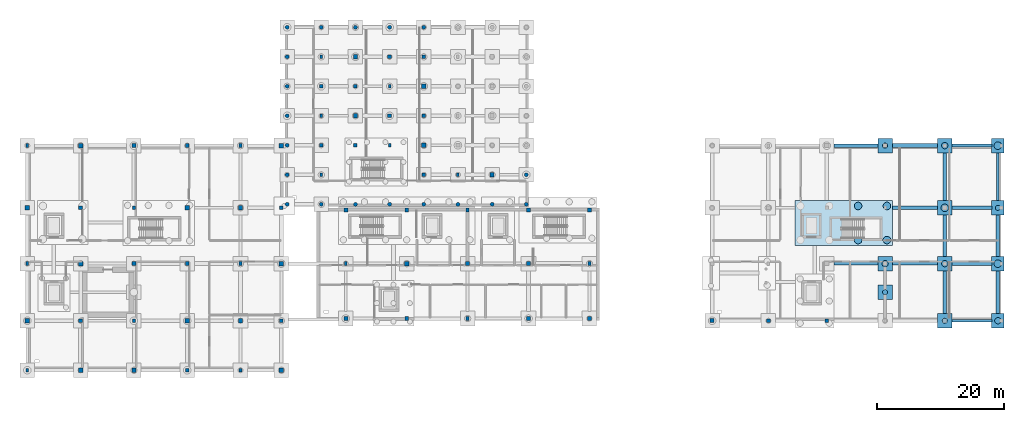
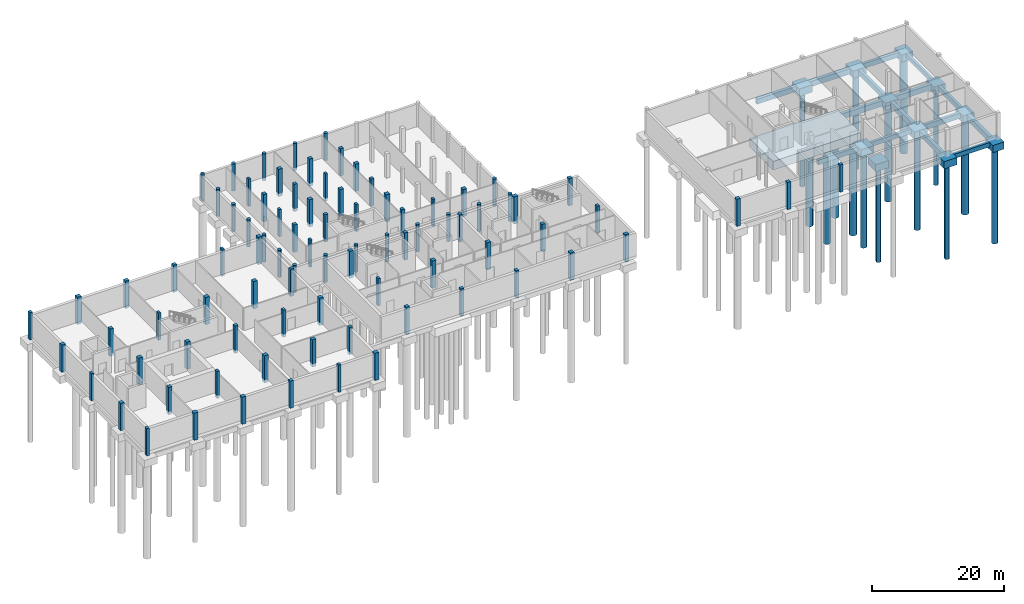
# One storey, part 4 of 14: 87 columns, 27 footings, 15 piles.
"""IFC4 building model written with IfcOpenShell, lengths in metres."""

from ifc_helpers import new_model, si_unit, direction, frame, origin, origin_2d, place, context, subcontext, project, spatial, rectangle, circle, extrude, material, material_profile, profile_set, type_object, element, save


model = new_model("IFC4")

# Units and contexts
model_context = context("Model", 3, precision=1e-05, world=origin(), true_north=direction((0.0, 1.0)))
body_context = subcontext(model_context, "Body", "Model", "MODEL_VIEW")
ifc_project = project(units=[si_unit("LENGTHUNIT", "METRE"), si_unit("AREAUNIT", "SQUARE_METRE"), si_unit("VOLUMEUNIT", "CUBIC_METRE"), si_unit("PLANEANGLEUNIT", "RADIAN"), si_unit("MASSUNIT", "GRAM", prefix="KILO")], contexts=[model_context])

# Site, building, storey
site_placement = place(None, origin())
site = spatial("IfcSite", under=ifc_project, at=site_placement, CompositionType="ELEMENT")
building_placement = place(site_placement, origin())
building = spatial("IfcBuilding", under=site, at=building_placement, Name="Birchvale Park Specialist Clinic", CompositionType="ELEMENT")
storey_placement = place(building_placement, frame((0.0, 0.0, -4.5)))
storey = spatial("IfcBuildingStorey", under=building, at=storey_placement, Name="B1", CompositionType="ELEMENT", Elevation=-4.5)

# Footings
ifc_material = material(Name="Concrete C40/50", Category="concrete")
footing_type_1 = type_object("IfcFootingType", Name="FTB-1", PredefinedType="FOOTING_BEAM", material=ifc_material)
footing_1_placement = place(storey_placement, frame((141.800048828125, 25.800048828125, -1.449951171875), z_axis=(0.0, 0.0, 1.0), x_axis=(1.0, 0.0, 0.0)))
element("IfcFooting", 1, at=footing_1_placement, inside=storey, type_object=footing_type_1, Name="B1 foundation tie beam 61", PredefinedType="FOOTING_BEAM", context=body_context, shape_type="SweptSolid", body=[
    extrude(rectangle(XDim=6.93994140625, YDim=0.5, at=origin_2d()), origin(), (0.0, 0.0, 1.0), 0.89990234375),
])
footing_2_placement = place(storey_placement, frame((164.1650390625, 30.199951171875, -1.449951171875), z_axis=(0.0, 0.0, 1.0), x_axis=(1.0, 0.0, 0.0)))
element("IfcFooting", 2, at=footing_2_placement, inside=storey, type_object=footing_type_1, Name="B1 foundation tie beam 65", PredefinedType="FOOTING_BEAM", context=body_context, shape_type="SweptSolid", body=[
    extrude(rectangle(XDim=0.5, YDim=6.5400390625, at=origin_2d()), origin(), (0.0, 0.0, 1.0), 0.89990234375),
])
footing_3_placement = place(storey_placement, frame((155.800048828125, 39.5, -1.449951171875), z_axis=(0.0, 0.0, 1.0), x_axis=(1.0, 0.0, 0.0)))
element("IfcFooting", 3, at=footing_3_placement, inside=storey, type_object=footing_type_1, Name="B1 foundation tie beam 81", PredefinedType="FOOTING_BEAM", context=body_context, shape_type="SweptSolid", body=[
    extrude(rectangle(XDim=0.5, YDim=7.5400390625, at=origin_2d()), origin(), (0.0, 0.0, 1.0), 0.89990234375),
])
footing_4_placement = place(storey_placement, frame((160.070068359375, 44.39990234375, -1.449951171875), z_axis=(0.0, 0.0, 1.0), x_axis=(1.0, 0.0, 0.0)))
element("IfcFooting", 4, at=footing_4_placement, inside=storey, type_object=footing_type_1, Name="B1 foundation tie beam 97", PredefinedType="FOOTING_BEAM", context=body_context, shape_type="SweptSolid", body=[
    extrude(rectangle(XDim=6.280029296875, YDim=0.5, at=origin_2d()), origin(), (0.0, 0.0, 1.0), 0.89990234375),
])
footing_type_2 = type_object("IfcFootingType", Name="FTB-2", PredefinedType="FOOTING_BEAM", material=ifc_material)
footing_5_placement = place(storey_placement, frame((160.070068359375, 16.800048828125, -1.35009765625), z_axis=(0.0, 0.0, 1.0), x_axis=(1.0, 0.0, 0.0)))
element("IfcFooting", 5, at=footing_5_placement, inside=storey, type_object=footing_type_2, Name="B1 foundation tie beam 30", PredefinedType="FOOTING_BEAM", context=body_context, shape_type="SweptSolid", body=[
    extrude(rectangle(XDim=6.280029296875, YDim=0.449951171875, at=origin_2d()), origin(), (0.0, 0.0, 1.0), 0.800048828125),
])
footing_6_placement = place(storey_placement, frame((151.10009765625, 25.800048828125, -1.35009765625), z_axis=(0.0, 0.0, 1.0), x_axis=(1.0, 0.0, 0.0)))
element("IfcFooting", 6, at=footing_6_placement, inside=storey, type_object=footing_type_2, Name="B1 foundation tie beam 62", PredefinedType="FOOTING_BEAM", context=body_context, shape_type="SweptSolid", body=[
    extrude(rectangle(XDim=7.139892578125, YDim=0.449951171875, at=origin_2d()), origin(), (0.0, 0.0, 1.0), 0.800048828125),
])
footing_7_placement = place(storey_placement, frame((164.1650390625, 39.5, -1.35009765625), z_axis=(0.0, 0.0, 1.0), x_axis=(1.0, 0.0, 0.0)))
element("IfcFooting", 7, at=footing_7_placement, inside=storey, type_object=footing_type_2, Name="B1 foundation tie beam 82", PredefinedType="FOOTING_BEAM", context=body_context, shape_type="SweptSolid", body=[
    extrude(rectangle(XDim=0.449951171875, YDim=7.5400390625, at=origin_2d()), origin(), (0.0, 0.0, 1.0), 0.800048828125),
])
footing_type_3 = type_object("IfcFootingType", Name="FTB-3", PredefinedType="FOOTING_BEAM", material=ifc_material)
footing_8_placement = place(storey_placement, frame((155.800048828125, 21.300048828125, -1.5), z_axis=(0.0, 0.0, 1.0), x_axis=(1.0, 0.0, 0.0)))
element("IfcFooting", 8, at=footing_8_placement, inside=storey, type_object=footing_type_3, Name="B1 foundation tie beam 31", PredefinedType="FOOTING_BEAM", context=body_context, shape_type="SweptSolid", body=[
    extrude(rectangle(XDim=0.550048828125, YDim=6.739990234375, at=origin_2d()), origin(), (0.0, 0.0, 1.0), 0.949951171875),
])
footing_9_placement = place(storey_placement, frame((160.070068359375, 25.800048828125, -1.5), z_axis=(0.0, 0.0, 1.0), x_axis=(1.0, 0.0, 0.0)))
element("IfcFooting", 9, at=footing_9_placement, inside=storey, type_object=footing_type_3, Name="B1 foundation tie beam 63", PredefinedType="FOOTING_BEAM", context=body_context, shape_type="SweptSolid", body=[
    extrude(rectangle(XDim=6.280029296875, YDim=0.550048828125, at=origin_2d()), origin(), (0.0, 0.0, 1.0), 0.949951171875),
])
footing_10_placement = place(storey_placement, frame((141.800048828125, 44.39990234375, -1.5), z_axis=(0.0, 0.0, 1.0), x_axis=(1.0, 0.0, 0.0)))
element("IfcFooting", 10, at=footing_10_placement, inside=storey, type_object=footing_type_3, Name="B1 foundation tie beam 95", PredefinedType="FOOTING_BEAM", context=body_context, shape_type="SweptSolid", body=[
    extrude(rectangle(XDim=6.93994140625, YDim=0.550048828125, at=origin_2d()), origin(), (0.0, 0.0, 1.0), 0.949951171875),
])
footing_type_4 = type_object("IfcFootingType", Name="FTB-4", PredefinedType="FOOTING_BEAM", material=ifc_material)
footing_11_placement = place(storey_placement, frame((164.1650390625, 21.300048828125, -1.550048828125), z_axis=(0.0, 0.0, 1.0), x_axis=(1.0, 0.0, 0.0)))
element("IfcFooting", 11, at=footing_11_placement, inside=storey, type_object=footing_type_4, Name="B1 foundation tie beam 32", PredefinedType="FOOTING_BEAM", context=body_context, shape_type="SweptSolid", body=[
    extrude(rectangle(XDim=0.60009765625, YDim=6.739990234375, at=origin_2d()), origin(), (0.0, 0.0, 1.0), 1.0),
])
footing_12_placement = place(storey_placement, frame((155.800048828125, 30.199951171875, -1.550048828125), z_axis=(0.0, 0.0, 1.0), x_axis=(1.0, 0.0, 0.0)))
element("IfcFooting", 12, at=footing_12_placement, inside=storey, type_object=footing_type_4, Name="B1 foundation tie beam 64", PredefinedType="FOOTING_BEAM", context=body_context, shape_type="SweptSolid", body=[
    extrude(rectangle(XDim=0.60009765625, YDim=6.5400390625, at=origin_2d()), origin(), (0.0, 0.0, 1.0), 1.0),
])
footing_13_placement = place(storey_placement, frame((151.10009765625, 34.60009765625, -1.550048828125), z_axis=(0.0, 0.0, 1.0), x_axis=(1.0, 0.0, 0.0)))
element("IfcFooting", 13, at=footing_13_placement, inside=storey, type_object=footing_type_4, Name="B1 foundation tie beam 68", PredefinedType="FOOTING_BEAM", context=body_context, shape_type="SweptSolid", body=[
    extrude(rectangle(XDim=7.139892578125, YDim=0.60009765625, at=origin_2d()), origin(), (0.0, 0.0, 1.0), 1.0),
])
footing_14_placement = place(storey_placement, frame((160.070068359375, 34.60009765625, -1.550048828125), z_axis=(0.0, 0.0, 1.0), x_axis=(1.0, 0.0, 0.0)))
element("IfcFooting", 14, at=footing_14_placement, inside=storey, type_object=footing_type_4, Name="B1 foundation tie beam 80", PredefinedType="FOOTING_BEAM", context=body_context, shape_type="SweptSolid", body=[
    extrude(rectangle(XDim=6.280029296875, YDim=0.60009765625, at=origin_2d()), origin(), (0.0, 0.0, 1.0), 1.0),
])
footing_15_placement = place(storey_placement, frame((151.10009765625, 44.39990234375, -1.550048828125), z_axis=(0.0, 0.0, 1.0), x_axis=(1.0, 0.0, 0.0)))
element("IfcFooting", 15, at=footing_15_placement, inside=storey, type_object=footing_type_4, Name="B1 foundation tie beam 96", PredefinedType="FOOTING_BEAM", context=body_context, shape_type="SweptSolid", body=[
    extrude(rectangle(XDim=7.139892578125, YDim=0.60009765625, at=origin_2d()), origin(), (0.0, 0.0, 1.0), 1.0),
])
footing_type_5 = type_object("IfcFootingType", Name="FTG-PC-01", PredefinedType="PILE_CAP", material=ifc_material)
for number, where, z_axis, x_axis, name in (
    (16, (155.800048828125, 16.800048828125, -1.900146484375), (0.0, 0.0, 1.0), (1.0, 0.0, 0.0), "B1 pile cap 17"),
    (17, (146.39990234375, 21.300048828125, -1.900146484375), (0.0, 0.0, 1.0), (1.0, 0.0, 0.0), "B1 pile cap 26"),
    (18, (155.800048828125, 25.800048828125, -1.900146484375), (0.0, 0.0, 1.0), (1.0, 0.0, 0.0), "B1 pile cap 42"),
    (19, (155.800048828125, 34.60009765625, -1.900146484375), (0.0, 0.0, 1.0), (1.0, 0.0, 0.0), "B1 pile cap 55"),
    (20, (146.39990234375, 44.39990234375, -1.900146484375), (0.0, 0.0, 1.0), (1.0, 0.0, 0.0), "B1 pile cap 74"),
    (21, (155.800048828125, 44.39990234375, -1.900146484375), (0.0, 0.0, 1.0), (1.0, 0.0, 0.0), "B1 pile cap 75"),
):
    element("IfcFooting", number, at=place(storey_placement, frame(where, z_axis=z_axis, x_axis=x_axis)), inside=storey, type_object=footing_type_5, Name=name, PredefinedType="PILE_CAP", context=body_context, shape_type="SweptSolid", body=[
        extrude(rectangle(XDim=2.300048828125, YDim=2.300048828125, at=origin_2d()), origin(), (0.0, 0.0, 1.0), 1.35009765625),
    ])
footing_type_6 = type_object("IfcFootingType", Name="FTG-PC-02", PredefinedType="PILE_CAP", material=ifc_material)
footing_16_placement = place(storey_placement, frame((146.39990234375, 25.800048828125, -2.0), z_axis=(0.0, 0.0, 1.0), x_axis=(1.0, 0.0, 0.0)))
element("IfcFooting", 22, at=footing_16_placement, inside=storey, type_object=footing_type_6, Name="B1 pile cap 41", PredefinedType="PILE_CAP", context=body_context, shape_type="SweptSolid", body=[
    extrude(rectangle(XDim=2.300048828125, YDim=2.300048828125, at=origin_2d()), origin(), (0.0, 0.0, 1.0), 1.449951171875),
])
footing_type_7 = type_object("IfcFootingType", Name="FTG-PC-04", PredefinedType="PILE_CAP", material=ifc_material)
for number, where, z_axis, x_axis, name in (
    (23, (164.1650390625, 16.800048828125, -1.900146484375), (0.0, 0.0, 1.0), (1.0, 0.0, 0.0), "B1 pile cap 18"),
    (24, (164.1650390625, 25.800048828125, -1.900146484375), (0.0, 0.0, 1.0), (1.0, 0.0, 0.0), "B1 pile cap 43"),
    (25, (164.1650390625, 34.60009765625, -1.900146484375), (0.0, 0.0, 1.0), (1.0, 0.0, 0.0), "B1 pile cap 56"),
    (26, (164.1650390625, 44.39990234375, -1.900146484375), (0.0, 0.0, 1.0), (1.0, 0.0, 0.0), "B1 pile cap 76"),
):
    element("IfcFooting", number, at=place(storey_placement, frame(where, z_axis=z_axis, x_axis=x_axis)), inside=storey, type_object=footing_type_7, Name=name, PredefinedType="PILE_CAP", context=body_context, shape_type="SweptSolid", body=[
        extrude(rectangle(XDim=1.949951171875, YDim=2.300048828125, at=origin_2d()), origin(), (0.0, 0.0, 1.0), 1.35009765625),
    ])
footing_type_8 = type_object("IfcFootingType", Name="FTG-PC-09", PredefinedType="PILE_CAP", material=ifc_material)
footing_17_placement = place(storey_placement, frame((139.875, 32.199951171875, -2.150146484375), z_axis=(0.0, 0.0, 1.0), x_axis=(1.0, 0.0, 0.0)))
element("IfcFooting", 27, at=footing_17_placement, inside=storey, type_object=footing_type_8, Name="B1 pile cap 45", PredefinedType="PILE_CAP", context=body_context, shape_type="SweptSolid", body=[
    extrude(rectangle(XDim=15.35009765625, YDim=7.10009765625, at=origin_2d()), origin(), (0.0, 0.0, 1.0), 1.60009765625),
])

# Piles
ifc_material_profile_1 = material_profile(ifc_material, circle(Radius=0.39990234375, at=origin_2d()), Name="PILE-800")
ifc_profile_set_1 = profile_set([ifc_material_profile_1], Name="Concrete C40/50")
pile_type_1 = type_object("IfcPileType", Name="PILE-P1", PredefinedType="BORED", material=ifc_profile_set_1)
for number, where, z_axis, x_axis, name in (
    (28, (155.800048828125, 16.800048828125, -1.800048828125), (0.0, 0.0, -1.0), (1.0, 0.0, 0.0), "B1 bored pile 22 (P1)"),
    (29, (146.39990234375, 21.300048828125, -1.800048828125), (0.0, 0.0, -1.0), (1.0, 0.0, 0.0), "B1 bored pile 41 (P1)"),
    (30, (164.1650390625, 34.60009765625, -1.800048828125), (0.0, 0.0, -1.0), (1.0, 0.0, 0.0), "B1 bored pile 107 (P1)"),
    (31, (146.39990234375, 44.39990234375, -1.800048828125), (0.0, 0.0, -1.0), (1.0, 0.0, 0.0), "B1 bored pile 136 (P1)"),
):
    element("IfcPile", number, at=place(storey_placement, frame(where, z_axis=z_axis, x_axis=x_axis)), inside=storey, type_object=pile_type_1, Name=name, PredefinedType="BORED", context=body_context, shape_type="SweptSolid", body=[
        extrude(circle(Radius=0.39990234375, at=origin_2d()), origin(), (0.0, 0.0, 1.0), 17.699951171875),
    ])
ifc_material_profile_2 = material_profile(ifc_material, circle(Radius=0.5, at=origin_2d()), Name="PILE-1000")
ifc_profile_set_2 = profile_set([ifc_material_profile_2], Name="Concrete C40/50")
pile_type_2 = type_object("IfcPileType", Name="PILE-P2", PredefinedType="BORED", material=ifc_profile_set_2)
pile_1_placement = place(storey_placement, frame((164.1650390625, 16.800048828125, -1.800048828125), z_axis=(0.0, 0.0, -1.0), x_axis=(1.0, 0.0, 0.0)))
element("IfcPile", 32, at=pile_1_placement, inside=storey, type_object=pile_type_2, Name="B1 bored pile 23 (P2)", PredefinedType="BORED", context=body_context, shape_type="SweptSolid", body=[
    extrude(circle(Radius=0.5, at=origin_2d()), origin(), (0.0, 0.0, 1.0), 17.699951171875),
])
pile_2_placement = place(storey_placement, frame((146.39990234375, 25.800048828125, -1.89990234375), z_axis=(0.0, 0.0, -1.0), x_axis=(1.0, 0.0, 0.0)))
element("IfcPile", 33, at=pile_2_placement, inside=storey, type_object=pile_type_2, Name="B1 bored pile 57 (P2)", PredefinedType="BORED", context=body_context, shape_type="SweptSolid", body=[
    extrude(circle(Radius=0.5, at=origin_2d()), origin(), (0.0, 0.0, 1.0), 17.60009765625),
])
for number, where, z_axis, x_axis, name in (
    (34, (155.800048828125, 25.800048828125, -1.800048828125), (0.0, 0.0, -1.0), (1.0, 0.0, 0.0), "B1 bored pile 58 (P2)"),
    (35, (155.800048828125, 44.39990234375, -1.800048828125), (0.0, 0.0, -1.0), (1.0, 0.0, 0.0), "B1 bored pile 137 (P2)"),
):
    element("IfcPile", number, at=place(storey_placement, frame(where, z_axis=z_axis, x_axis=x_axis)), inside=storey, type_object=pile_type_2, Name=name, PredefinedType="BORED", context=body_context, shape_type="SweptSolid", body=[
        extrude(circle(Radius=0.5, at=origin_2d()), origin(), (0.0, 0.0, 1.0), 17.699951171875),
    ])
ifc_material_profile_3 = material_profile(ifc_material, circle(Radius=0.60009765625, at=origin_2d()), Name="PILE-1200")
ifc_profile_set_3 = profile_set([ifc_material_profile_3], Name="Concrete C40/50")
pile_type_3 = type_object("IfcPileType", Name="PILE-P3", PredefinedType="BORED", material=ifc_profile_set_3)
pile_3_placement = place(storey_placement, frame((164.1650390625, 25.800048828125, -1.800048828125), z_axis=(0.0, 0.0, -1.0), x_axis=(1.0, 0.0, 0.0)))
element("IfcPile", 36, at=pile_3_placement, inside=storey, type_object=pile_type_3, Name="B1 bored pile 59 (P3)", PredefinedType="BORED", context=body_context, shape_type="SweptSolid", body=[
    extrude(circle(Radius=0.60009765625, at=origin_2d()), origin(), (0.0, 0.0, 1.0), 17.699951171875),
])
for number, where, z_axis, x_axis, name in (
    (37, (142.146728515625, 29.510009765625, -2.050048828125), (0.0, 0.0, -1.0), (1.0, 0.0, 0.0), "B1 bored pile 72 (P3)"),
    (38, (142.146728515625, 34.889892578125, -2.050048828125), (0.0, 0.0, -1.0), (1.0, 0.0, 0.0), "B1 bored pile 73 (P3)"),
    (39, (146.68994140625, 29.510009765625, -2.050048828125), (0.0, 0.0, -1.0), (1.0, 0.0, 0.0), "B1 bored pile 74 (P3)"),
    (40, (146.68994140625, 34.889892578125, -2.050048828125), (0.0, 0.0, -1.0), (1.0, 0.0, 0.0), "B1 bored pile 75 (P3)"),
):
    element("IfcPile", number, at=place(storey_placement, frame(where, z_axis=z_axis, x_axis=x_axis)), inside=storey, type_object=pile_type_3, Name=name, PredefinedType="BORED", context=body_context, shape_type="SweptSolid", body=[
        extrude(circle(Radius=0.60009765625, at=origin_2d()), origin(), (0.0, 0.0, 1.0), 17.449951171875),
    ])
for number, where, z_axis, x_axis, name in (
    (41, (155.800048828125, 34.60009765625, -1.800048828125), (0.0, 0.0, -1.0), (1.0, 0.0, 0.0), "B1 bored pile 106 (P3)"),
    (42, (164.1650390625, 44.39990234375, -1.800048828125), (0.0, 0.0, -1.0), (1.0, 0.0, 0.0), "B1 bored pile 138 (P3)"),
):
    element("IfcPile", number, at=place(storey_placement, frame(where, z_axis=z_axis, x_axis=x_axis)), inside=storey, type_object=pile_type_3, Name=name, PredefinedType="BORED", context=body_context, shape_type="SweptSolid", body=[
        extrude(circle(Radius=0.60009765625, at=origin_2d()), origin(), (0.0, 0.0, 1.0), 17.699951171875),
    ])

# Columns
ifc_material_profile_4 = material_profile(ifc_material, rectangle(XDim=0.679931640625, YDim=0.679931640625, at=origin_2d()), Name="RC-680x680")
ifc_profile_set_4 = profile_set([ifc_material_profile_4], Name="Concrete C40/50")
column_type_1 = type_object("IfcColumnType", Name="COL-EXT-C01", PredefinedType="COLUMN", material=ifc_profile_set_4)
for number, where, z_axis, x_axis, name in (
    (43, (51.25, 9.0, -0.550048828125), (0.0, 0.0, 1.0), (1.0, 0.0, 0.0), "V2 B1 column 26"),
    (44, (51.25, 25.800048828125, -0.550048828125), (0.0, 0.0, 1.0), (1.0, 0.0, 0.0), "V2 B1 column 28"),
    (45, (51.25, 44.39990234375, -0.550048828125), (0.0, 0.0, 1.0), (1.0, 0.0, 0.0), "V2 B1 column 30"),
    (46, (90.199951171875, 17.14990234375, -0.550048828125), (0.0, 0.0, 1.0), (1.0, 0.0, 0.0), "V4 B1 column 10"),
    (47, (90.199951171875, 34.25, -0.550048828125), (0.0, 0.0, 1.0), (1.0, 0.0, 0.0), "V4 B1 column 12"),
):
    element("IfcColumn", number, at=place(storey_placement, frame(where, z_axis=z_axis, x_axis=x_axis)), inside=storey, type_object=column_type_1, Name=name, PredefinedType="COLUMN", context=body_context, shape_type="SweptSolid", body=[
        extrude(rectangle(XDim=0.679931640625, YDim=0.679931640625, at=origin_2d()), origin(), (0.0, 0.0, 1.0), 5.050048828125),
    ])
ifc_material_profile_5 = material_profile(ifc_material, rectangle(XDim=0.6298828125, YDim=0.6298828125, at=origin_2d()), Name="RC-630x630")
ifc_profile_set_5 = profile_set([ifc_material_profile_5], Name="Concrete C40/50")
column_type_2 = type_object("IfcColumnType", Name="COL-EXT-C02", PredefinedType="COLUMN", material=ifc_profile_set_5)
for number, where, z_axis, x_axis, name in (
    (48, (61.39990234375, 17.14990234375, -0.550048828125), (0.0, 0.0, 1.0), (1.0, 0.0, 0.0), "V4 B1 column 1"),
    (49, (61.39990234375, 34.25, -0.550048828125), (0.0, 0.0, 1.0), (1.0, 0.0, 0.0), "V4 B1 column 3"),
    (50, (99.800048828125, 17.14990234375, -0.550048828125), (0.0, 0.0, 1.0), (1.0, 0.0, 0.0), "V4 B1 column 13"),
    (51, (99.800048828125, 34.25, -0.550048828125), (0.0, 0.0, 1.0), (1.0, 0.0, 0.0), "V4 B1 column 15"),
    (52, (119.14990234375, 16.800048828125, -0.550048828125), (0.0, 0.0, 1.0), (1.0, 0.0, 0.0), "V5 B1 column 1"),
):
    element("IfcColumn", number, at=place(storey_placement, frame(where, z_axis=z_axis, x_axis=x_axis)), inside=storey, type_object=column_type_2, Name=name, PredefinedType="COLUMN", context=body_context, shape_type="SweptSolid", body=[
        extrude(rectangle(XDim=0.6298828125, YDim=0.6298828125, at=origin_2d()), origin(), (0.0, 0.0, 1.0), 5.050048828125),
    ])
ifc_material_profile_6 = material_profile(ifc_material, rectangle(XDim=0.580078125, YDim=0.580078125, at=origin_2d()), Name="RC-580x580")
ifc_profile_set_6 = profile_set([ifc_material_profile_6], Name="Concrete C40/50")
column_type_3 = type_object("IfcColumnType", Name="COL-EXT-C03", PredefinedType="COLUMN", material=ifc_profile_set_6)
for number, where, z_axis, x_axis, name in (
    (53, (51.25, 16.800048828125, -0.550048828125), (0.0, 0.0, 1.0), (1.0, 0.0, 0.0), "V2 B1 column 27"),
    (54, (51.25, 34.60009765625, -0.550048828125), (0.0, 0.0, 1.0), (1.0, 0.0, 0.0), "V2 B1 column 29"),
    (55, (71.0, 17.14990234375, -0.550048828125), (0.0, 0.0, 1.0), (1.0, 0.0, 0.0), "V4 B1 column 4"),
    (56, (71.0, 34.25, -0.550048828125), (0.0, 0.0, 1.0), (1.0, 0.0, 0.0), "V4 B1 column 6"),
):
    element("IfcColumn", number, at=place(storey_placement, frame(where, z_axis=z_axis, x_axis=x_axis)), inside=storey, type_object=column_type_3, Name=name, PredefinedType="COLUMN", context=body_context, shape_type="SweptSolid", body=[
        extrude(rectangle(XDim=0.580078125, YDim=0.580078125, at=origin_2d()), origin(), (0.0, 0.0, 1.0), 5.050048828125),
    ])
ifc_material_profile_7 = material_profile(ifc_material, rectangle(XDim=0.469970703125, YDim=0.6298828125, at=origin_2d()), Name="RC-470x630")
ifc_profile_set_7 = profile_set([ifc_material_profile_7], Name="Concrete C40/50")
column_type_4 = type_object("IfcColumnType", Name="COL-EXT-C09", PredefinedType="COLUMN", material=ifc_profile_set_7)
for number, where, z_axis, x_axis, name in (
    (57, (80.60009765625, 17.14990234375, -0.550048828125), (0.0, 0.0, 1.0), (1.0, 0.0, 0.0), "V4 B1 column 7"),
    (58, (80.60009765625, 34.25, -0.550048828125), (0.0, 0.0, 1.0), (1.0, 0.0, 0.0), "V4 B1 column 9"),
):
    element("IfcColumn", number, at=place(storey_placement, frame(where, z_axis=z_axis, x_axis=x_axis)), inside=storey, type_object=column_type_4, Name=name, PredefinedType="COLUMN", context=body_context, shape_type="SweptSolid", body=[
        extrude(rectangle(XDim=0.469970703125, YDim=0.6298828125, at=origin_2d()), origin(), (0.0, 0.0, 1.0), 5.050048828125),
    ])
ifc_material_profile_8 = material_profile(ifc_material, circle(Radius=0.31005859375, at=origin_2d()), Name="RCC-620")
ifc_profile_set_8 = profile_set([ifc_material_profile_8], Name="Concrete C40/50")
column_type_5 = type_object("IfcColumnType", Name="COL-EXT-CC1", PredefinedType="COLUMN", material=ifc_profile_set_8)
for number, where, z_axis, x_axis, name in (
    (59, (52.14990234375, 35.14990234375, -0.550048828125), (0.0, 0.0, 1.0), (1.0, 0.0, 0.0), "V1 B1 column 1"),
    (60, (52.14990234375, 39.800048828125, -0.550048828125), (0.0, 0.0, 1.0), (1.0, 0.0, 0.0), "V1 B1 column 2"),
    (61, (52.14990234375, 44.449951171875, -0.550048828125), (0.0, 0.0, 1.0), (1.0, 0.0, 0.0), "V1 B1 column 3"),
    (62, (52.14990234375, 49.10009765625, -0.550048828125), (0.0, 0.0, 1.0), (1.0, 0.0, 0.0), "V1 B1 column 4"),
    (63, (52.14990234375, 53.75, -0.550048828125), (0.0, 0.0, 1.0), (1.0, 0.0, 0.0), "V1 B1 column 5"),
    (64, (52.14990234375, 58.39990234375, -0.550048828125), (0.0, 0.0, 1.0), (1.0, 0.0, 0.0), "V1 B1 column 6"),
    (65, (52.14990234375, 63.050048828125, -0.550048828125), (0.0, 0.0, 1.0), (1.0, 0.0, 0.0), "V1 B1 column 7"),
    (66, (57.53564453125, 35.14990234375, -0.550048828125), (0.0, 0.0, 1.0), (1.0, 0.0, 0.0), "V1 B1 column 8"),
    (67, (57.53564453125, 63.050048828125, -0.550048828125), (0.0, 0.0, 1.0), (1.0, 0.0, 0.0), "V1 B1 column 14"),
    (68, (62.92138671875, 35.14990234375, -0.550048828125), (0.0, 0.0, 1.0), (1.0, 0.0, 0.0), "V1 B1 column 15"),
    (69, (62.92138671875, 63.050048828125, -0.550048828125), (0.0, 0.0, 1.0), (1.0, 0.0, 0.0), "V1 B1 column 20"),
    (70, (68.30712890625, 35.14990234375, -0.550048828125), (0.0, 0.0, 1.0), (1.0, 0.0, 0.0), "V1 B1 column 21"),
    (71, (68.30712890625, 63.050048828125, -0.550048828125), (0.0, 0.0, 1.0), (1.0, 0.0, 0.0), "V1 B1 column 26"),
    (72, (73.69287109375, 35.14990234375, -0.550048828125), (0.0, 0.0, 1.0), (1.0, 0.0, 0.0), "V1 B1 column 27"),
    (73, (73.69287109375, 63.050048828125, -0.550048828125), (0.0, 0.0, 1.0), (1.0, 0.0, 0.0), "V1 B1 column 33"),
    (74, (79.07861328125, 35.14990234375, -0.550048828125), (0.0, 0.0, 1.0), (1.0, 0.0, 0.0), "V1 B1 column 34"),
    (75, (84.46435546875, 35.14990234375, -0.550048828125), (0.0, 0.0, 1.0), (1.0, 0.0, 0.0), "V1 B1 column 41"),
    (76, (89.85009765625, 35.14990234375, -0.550048828125), (0.0, 0.0, 1.0), (1.0, 0.0, 0.0), "V1 B1 column 48"),
    (77, (89.85009765625, 39.800048828125, -0.550048828125), (0.0, 0.0, 1.0), (1.0, 0.0, 0.0), "V1 B1 column 49"),
):
    element("IfcColumn", number, at=place(storey_placement, frame(where, z_axis=z_axis, x_axis=x_axis)), inside=storey, type_object=column_type_5, Name=name, PredefinedType="COLUMN", context=body_context, shape_type="SweptSolid", body=[
        extrude(circle(Radius=0.31005859375, at=origin_2d()), origin(), (0.0, 0.0, 1.0), 5.050048828125),
    ])
ifc_material_profile_9 = material_profile(ifc_material, rectangle(XDim=0.699951171875, YDim=0.699951171875, at=origin_2d()), Name="RC-700x700")
ifc_profile_set_9 = profile_set([ifc_material_profile_9], Name="Concrete C40/50")
column_type_6 = type_object("IfcColumnType", Name="COL-INT-C01", PredefinedType="COLUMN", material=ifc_profile_set_9)
for number, where, z_axis, x_axis, name in (
    (78, (19.60009765625, 9.0, -0.550048828125), (0.0, 0.0, 1.0), (1.0, 0.0, 0.0), "V2 B1 column 6"),
    (79, (19.60009765625, 25.800048828125, -0.550048828125), (0.0, 0.0, 1.0), (1.0, 0.0, 0.0), "V2 B1 column 8"),
    (80, (19.60009765625, 44.39990234375, -0.550048828125), (0.0, 0.0, 1.0), (1.0, 0.0, 0.0), "V2 B1 column 10"),
    (81, (36.39990234375, 16.800048828125, -0.550048828125), (0.0, 0.0, 1.0), (1.0, 0.0, 0.0), "V2 B1 column 17"),
    (82, (36.39990234375, 34.60009765625, -0.550048828125), (0.0, 0.0, 1.0), (1.0, 0.0, 0.0), "V2 B1 column 19"),
    (83, (71.0, 25.800048828125, -0.550048828125), (0.0, 0.0, 1.0), (1.0, 0.0, 0.0), "V4 B1 column 5"),
):
    element("IfcColumn", number, at=place(storey_placement, frame(where, z_axis=z_axis, x_axis=x_axis)), inside=storey, type_object=column_type_6, Name=name, PredefinedType="COLUMN", context=body_context, shape_type="SweptSolid", body=[
        extrude(rectangle(XDim=0.699951171875, YDim=0.699951171875, at=origin_2d()), origin(), (0.0, 0.0, 1.0), 5.050048828125),
    ])
ifc_material_profile_10 = material_profile(ifc_material, rectangle(XDim=0.64990234375, YDim=0.64990234375, at=origin_2d()), Name="RC-650x650")
ifc_profile_set_10 = profile_set([ifc_material_profile_10], Name="Concrete C40/50")
column_type_7 = type_object("IfcColumnType", Name="COL-INT-C02", PredefinedType="COLUMN", material=ifc_profile_set_10)
for number, where, z_axis, x_axis, name in (
    (84, (62.92138671875, 49.10009765625, -0.550048828125), (0.0, 0.0, 1.0), (1.0, 0.0, 0.0), "V1 B1 column 17"),
    (85, (62.92138671875, 58.39990234375, -0.550048828125), (0.0, 0.0, 1.0), (1.0, 0.0, 0.0), "V1 B1 column 19"),
    (86, (73.69287109375, 44.449951171875, -0.550048828125), (0.0, 0.0, 1.0), (1.0, 0.0, 0.0), "V1 B1 column 29"),
    (87, (73.69287109375, 53.75, -0.550048828125), (0.0, 0.0, 1.0), (1.0, 0.0, 0.0), "V1 B1 column 31"),
    (88, (84.46435546875, 39.800048828125, -0.550048828125), (0.0, 0.0, 1.0), (1.0, 0.0, 0.0), "V1 B1 column 42"),
    (89, (11.199951171875, 16.800048828125, -0.550048828125), (0.0, 0.0, 1.0), (1.0, 0.0, 0.0), "V2 B1 column 2"),
    (90, (11.199951171875, 34.60009765625, -0.550048828125), (0.0, 0.0, 1.0), (1.0, 0.0, 0.0), "V2 B1 column 4"),
    (91, (28.0, 9.0, -0.550048828125), (0.0, 0.0, 1.0), (1.0, 0.0, 0.0), "V2 B1 column 11"),
    (92, (28.0, 25.800048828125, -0.550048828125), (0.0, 0.0, 1.0), (1.0, 0.0, 0.0), "V2 B1 column 13"),
    (93, (28.0, 44.39990234375, -0.550048828125), (0.0, 0.0, 1.0), (1.0, 0.0, 0.0), "V2 B1 column 15"),
    (94, (44.800048828125, 16.800048828125, -0.550048828125), (0.0, 0.0, 1.0), (1.0, 0.0, 0.0), "V2 B1 column 22"),
    (95, (44.800048828125, 34.60009765625, -0.550048828125), (0.0, 0.0, 1.0), (1.0, 0.0, 0.0), "V2 B1 column 24"),
    (96, (80.60009765625, 25.800048828125, -0.550048828125), (0.0, 0.0, 1.0), (1.0, 0.0, 0.0), "V4 B1 column 8"),
):
    element("IfcColumn", number, at=place(storey_placement, frame(where, z_axis=z_axis, x_axis=x_axis)), inside=storey, type_object=column_type_7, Name=name, PredefinedType="COLUMN", context=body_context, shape_type="SweptSolid", body=[
        extrude(rectangle(XDim=0.64990234375, YDim=0.64990234375, at=origin_2d()), origin(), (0.0, 0.0, 1.0), 5.050048828125),
    ])
ifc_material_profile_11 = material_profile(ifc_material, rectangle(XDim=0.60009765625, YDim=0.60009765625, at=origin_2d()), Name="RC-600x600")
ifc_profile_set_11 = profile_set([ifc_material_profile_11], Name="Concrete C40/50")
column_type_8 = type_object("IfcColumnType", Name="COL-INT-C03", PredefinedType="COLUMN", material=ifc_profile_set_11)
for number, where, z_axis, x_axis, name in (
    (97, (57.53564453125, 44.449951171875, -0.550048828125), (0.0, 0.0, 1.0), (1.0, 0.0, 0.0), "V1 B1 column 10"),
    (98, (57.53564453125, 53.75, -0.550048828125), (0.0, 0.0, 1.0), (1.0, 0.0, 0.0), "V1 B1 column 12"),
    (99, (68.30712890625, 49.10009765625, -0.550048828125), (0.0, 0.0, 1.0), (1.0, 0.0, 0.0), "V1 B1 column 23"),
    (100, (68.30712890625, 58.39990234375, -0.550048828125), (0.0, 0.0, 1.0), (1.0, 0.0, 0.0), "V1 B1 column 25"),
    (101, (19.60009765625, 16.800048828125, -0.550048828125), (0.0, 0.0, 1.0), (1.0, 0.0, 0.0), "V2 B1 column 7"),
    (102, (19.60009765625, 34.60009765625, -0.550048828125), (0.0, 0.0, 1.0), (1.0, 0.0, 0.0), "V2 B1 column 9"),
    (103, (36.39990234375, 9.0, -0.550048828125), (0.0, 0.0, 1.0), (1.0, 0.0, 0.0), "V2 B1 column 16"),
    (104, (36.39990234375, 25.800048828125, -0.550048828125), (0.0, 0.0, 1.0), (1.0, 0.0, 0.0), "V2 B1 column 18"),
    (105, (36.39990234375, 44.39990234375, -0.550048828125), (0.0, 0.0, 1.0), (1.0, 0.0, 0.0), "V2 B1 column 20"),
    (106, (90.199951171875, 25.800048828125, -0.550048828125), (0.0, 0.0, 1.0), (1.0, 0.0, 0.0), "V4 B1 column 11"),
    (107, (128.0, 16.800048828125, -0.550048828125), (0.0, 0.0, 1.0), (1.0, 0.0, 0.0), "V5 B1 column 5"),
):
    element("IfcColumn", number, at=place(storey_placement, frame(where, z_axis=z_axis, x_axis=x_axis)), inside=storey, type_object=column_type_8, Name=name, PredefinedType="COLUMN", context=body_context, shape_type="SweptSolid", body=[
        extrude(rectangle(XDim=0.60009765625, YDim=0.60009765625, at=origin_2d()), origin(), (0.0, 0.0, 1.0), 5.050048828125),
    ])
ifc_material_profile_12 = material_profile(ifc_material, rectangle(XDim=0.550048828125, YDim=0.550048828125, at=origin_2d()), Name="RC-550x550")
ifc_profile_set_12 = profile_set([ifc_material_profile_12], Name="Concrete C40/50")
column_type_9 = type_object("IfcColumnType", Name="COL-INT-C04", PredefinedType="COLUMN", material=ifc_profile_set_12)
for number, where, z_axis, x_axis, name in (
    (108, (62.92138671875, 44.449951171875, -0.550048828125), (0.0, 0.0, 1.0), (1.0, 0.0, 0.0), "V1 B1 column 16"),
    (109, (62.92138671875, 53.75, -0.550048828125), (0.0, 0.0, 1.0), (1.0, 0.0, 0.0), "V1 B1 column 18"),
    (110, (73.69287109375, 39.800048828125, -0.550048828125), (0.0, 0.0, 1.0), (1.0, 0.0, 0.0), "V1 B1 column 28"),
    (111, (73.69287109375, 49.10009765625, -0.550048828125), (0.0, 0.0, 1.0), (1.0, 0.0, 0.0), "V1 B1 column 30"),
    (112, (73.69287109375, 58.39990234375, -0.550048828125), (0.0, 0.0, 1.0), (1.0, 0.0, 0.0), "V1 B1 column 32"),
    (113, (137.199951171875, 16.800048828125, -0.550048828125), (0.0, 0.0, 1.0), (1.0, 0.0, 0.0), "V5 B1 column 9"),
):
    element("IfcColumn", number, at=place(storey_placement, frame(where, z_axis=z_axis, x_axis=x_axis)), inside=storey, type_object=column_type_9, Name=name, PredefinedType="COLUMN", context=body_context, shape_type="SweptSolid", body=[
        extrude(rectangle(XDim=0.550048828125, YDim=0.550048828125, at=origin_2d()), origin(), (0.0, 0.0, 1.0), 5.050048828125),
    ])
ifc_material_profile_13 = material_profile(ifc_material, rectangle(XDim=0.449951171875, YDim=0.60009765625, at=origin_2d()), Name="RC-450x600")
ifc_profile_set_13 = profile_set([ifc_material_profile_13], Name="Concrete C40/50")
column_type_10 = type_object("IfcColumnType", Name="COL-INT-C09", PredefinedType="COLUMN", material=ifc_profile_set_13)
for number, where, z_axis, x_axis, name in (
    (114, (11.199951171875, 9.0, -0.550048828125), (0.0, 0.0, 1.0), (1.0, 0.0, 0.0), "V2 B1 column 1"),
    (115, (11.199951171875, 25.800048828125, -0.550048828125), (0.0, 0.0, 1.0), (1.0, 0.0, 0.0), "V2 B1 column 3"),
    (116, (11.199951171875, 44.39990234375, -0.550048828125), (0.0, 0.0, 1.0), (1.0, 0.0, 0.0), "V2 B1 column 5"),
    (117, (28.0, 16.800048828125, -0.550048828125), (0.0, 0.0, 1.0), (1.0, 0.0, 0.0), "V2 B1 column 12"),
    (118, (28.0, 34.60009765625, -0.550048828125), (0.0, 0.0, 1.0), (1.0, 0.0, 0.0), "V2 B1 column 14"),
    (119, (44.800048828125, 9.0, -0.550048828125), (0.0, 0.0, 1.0), (1.0, 0.0, 0.0), "V2 B1 column 21"),
    (120, (44.800048828125, 25.800048828125, -0.550048828125), (0.0, 0.0, 1.0), (1.0, 0.0, 0.0), "V2 B1 column 23"),
    (121, (44.800048828125, 44.39990234375, -0.550048828125), (0.0, 0.0, 1.0), (1.0, 0.0, 0.0), "V2 B1 column 25"),
    (122, (61.39990234375, 25.800048828125, -0.550048828125), (0.0, 0.0, 1.0), (1.0, 0.0, 0.0), "V4 B1 column 2"),
    (123, (99.800048828125, 25.800048828125, -0.550048828125), (0.0, 0.0, 1.0), (1.0, 0.0, 0.0), "V4 B1 column 14"),
):
    element("IfcColumn", number, at=place(storey_placement, frame(where, z_axis=z_axis, x_axis=x_axis)), inside=storey, type_object=column_type_10, Name=name, PredefinedType="COLUMN", context=body_context, shape_type="SweptSolid", body=[
        extrude(rectangle(XDim=0.449951171875, YDim=0.60009765625, at=origin_2d()), origin(), (0.0, 0.0, 1.0), 5.050048828125),
    ])
ifc_material_profile_14 = material_profile(ifc_material, rectangle(XDim=0.39990234375, YDim=0.550048828125, at=origin_2d()), Name="RC-400x550")
ifc_profile_set_14 = profile_set([ifc_material_profile_14], Name="Concrete C40/50")
column_type_11 = type_object("IfcColumnType", Name="COL-INT-C10", PredefinedType="COLUMN", material=ifc_profile_set_14)
for number, where, z_axis, x_axis, name in (
    (124, (57.53564453125, 39.800048828125, -0.550048828125), (0.0, 0.0, 1.0), (1.0, 0.0, 0.0), "V1 B1 column 9"),
    (125, (57.53564453125, 49.10009765625, -0.550048828125), (0.0, 0.0, 1.0), (1.0, 0.0, 0.0), "V1 B1 column 11"),
    (126, (57.53564453125, 58.39990234375, -0.550048828125), (0.0, 0.0, 1.0), (1.0, 0.0, 0.0), "V1 B1 column 13"),
    (127, (68.30712890625, 44.449951171875, -0.550048828125), (0.0, 0.0, 1.0), (1.0, 0.0, 0.0), "V1 B1 column 22"),
    (128, (68.30712890625, 53.75, -0.550048828125), (0.0, 0.0, 1.0), (1.0, 0.0, 0.0), "V1 B1 column 24"),
    (129, (79.07861328125, 39.800048828125, -0.550048828125), (0.0, 0.0, 1.0), (1.0, 0.0, 0.0), "V1 B1 column 35"),
):
    element("IfcColumn", number, at=place(storey_placement, frame(where, z_axis=z_axis, x_axis=x_axis)), inside=storey, type_object=column_type_11, Name=name, PredefinedType="COLUMN", context=body_context, shape_type="SweptSolid", body=[
        extrude(rectangle(XDim=0.39990234375, YDim=0.550048828125, at=origin_2d()), origin(), (0.0, 0.0, 1.0), 5.050048828125),
    ])

save(model, "model.ifc")
